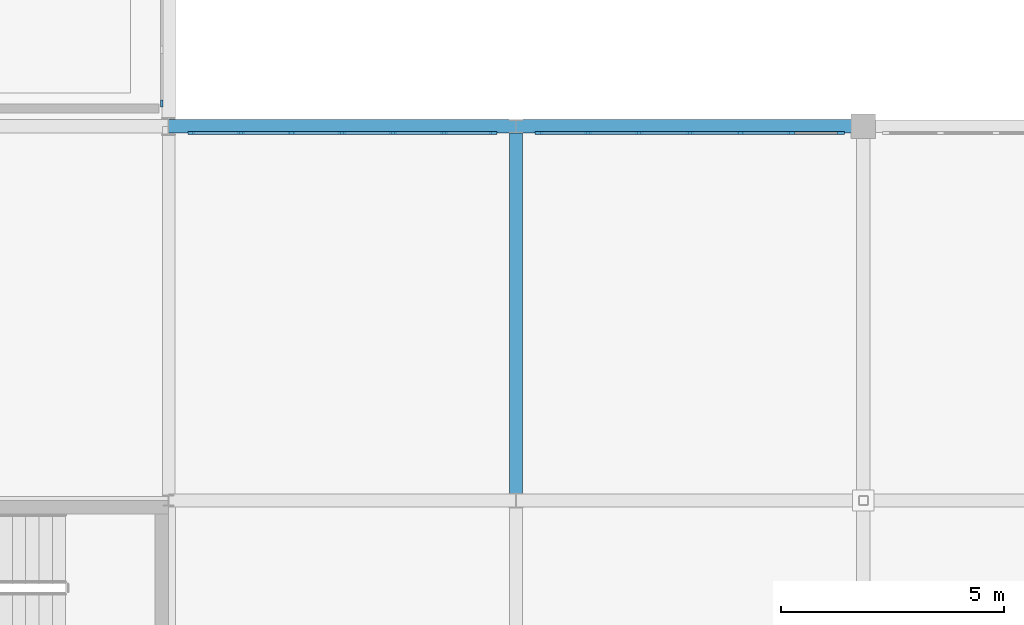
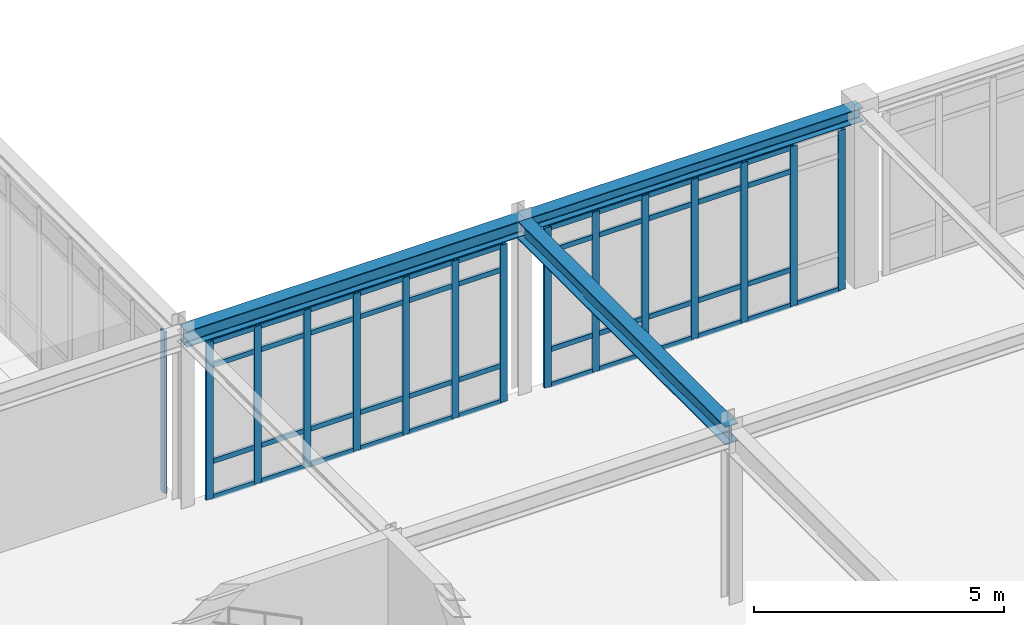
# One storey, part 52 of 101: 60 members, 3 beams, 3 elements without a shape of their own.
"""IFC4 building model written with IfcOpenShell, lengths in metres."""

from ifc_helpers import new_model, si_unit, derived_unit, direction, frame, origin, origin_2d, place, context, subcontext, project, spatial, rectangle, i_section, extrude, material, layer, layer_set, material_profile, profile_set, type_object, element, aggregate, save


model = new_model("IFC4")

# Units and contexts
model_context = context("Model", 3, precision=1e-05, world=origin(), true_north=direction((0.0, 1.0)))
body_context = subcontext(model_context, "Body", "Model", "MODEL_VIEW")
ifc_project = project(units=[si_unit("LENGTHUNIT", "METRE"), si_unit("AREAUNIT", "SQUARE_METRE"), si_unit("VOLUMEUNIT", "CUBIC_METRE"), si_unit("PLANEANGLEUNIT", "RADIAN"), si_unit("MASSUNIT", "GRAM", prefix="KILO"), derived_unit("THERMALTRANSMITTANCEUNIT", [(si_unit("POWERUNIT", "WATT"), 1), (si_unit("AREAUNIT", "SQUARE_METRE"), -1), (si_unit("THERMODYNAMICTEMPERATUREUNIT", "KELVIN"), -1)])], contexts=[model_context])

# Site, building, storey
site_placement = place(None, origin())
site = spatial("IfcSite", under=ifc_project, at=site_placement, CompositionType="ELEMENT")
building_placement = place(site_placement, origin())
building = spatial("IfcBuilding", under=site, at=building_placement, Name="Yasenodar Specialist Clinic", CompositionType="ELEMENT")
storey_placement = place(building_placement, origin())
storey = spatial("IfcBuildingStorey", under=building, at=storey_placement, Name="L00", CompositionType="ELEMENT", Elevation=0.0)

# Beams
ifc_material_1 = material(Name="Steel S355", Category="steel")
ifc_material_profile_1 = material_profile(ifc_material_1, i_section(OverallWidth=0.300048828125, OverallDepth=0.330078125, WebThickness=0.009521484375, FlangeThickness=0.0166015625, FilletRadius=0.027099609375, at=origin_2d()), Name="HEA 340")
ifc_profile_set_1 = profile_set([ifc_material_profile_1], Name="Steel S355")
beam_type_1 = type_object("IfcBeamType", Name="BM-HEA340", PredefinedType="BEAM", material=ifc_profile_set_1)
beam_1_placement = place(storey_placement, frame((146.39990234375, 16.800048828125, 4.0849609375), z_axis=(1.0, 0.0, 0.0), x_axis=(0.0, 1.0, 0.0)))
element("IfcBeam", 1, at=beam_1_placement, inside=storey, type_object=beam_type_1, Name="L00 Primary E-W Girder", PredefinedType="BEAM", context=body_context, shape_type="SweptSolid", body=[
    extrude(i_section(OverallWidth=0.300048828125, OverallDepth=0.330078125, WebThickness=0.009521484375, FlangeThickness=0.0166015625, FilletRadius=0.027099609375, at=origin_2d()), origin(), (0.0, 0.0, 1.0), 7.800048828125),
])
ifc_material_profile_2 = material_profile(ifc_material_1, i_section(OverallWidth=0.300048828125, OverallDepth=0.389892578125, WebThickness=0.010986328125, FlangeThickness=0.01904296875, FilletRadius=0.027099609375, at=origin_2d()), Name="HEA 400")
ifc_profile_set_2 = profile_set([ifc_material_profile_2], Name="Steel S355")
beam_type_2 = type_object("IfcBeamType", Name="BM-HEA400", PredefinedType="BEAM", material=ifc_profile_set_2)
beam_2_placement = place(storey_placement, frame((138.60009765625, 16.800048828125, 4.054931640625), z_axis=(1.0, 0.0, 0.0), x_axis=(0.0, 1.0, 0.0)))
element("IfcBeam", 2, at=beam_2_placement, inside=storey, type_object=beam_type_2, Name="L00 Primary E-W Girder", PredefinedType="BEAM", context=body_context, shape_type="SweptSolid", body=[
    extrude(i_section(OverallWidth=0.300048828125, OverallDepth=0.389892578125, WebThickness=0.010986328125, FlangeThickness=0.01904296875, FilletRadius=0.027099609375, at=origin_2d()), origin(), (0.0, 0.0, 1.0), 7.7998046875),
])
ifc_material_profile_3 = material_profile(ifc_material_1, i_section(OverallWidth=0.300048828125, OverallDepth=0.449951171875, WebThickness=0.013916015625, FlangeThickness=0.02587890625, FilletRadius=0.027099609375, at=origin_2d()), Name="HEB 450")
ifc_profile_set_3 = profile_set([ifc_material_profile_3], Name="Steel S355")
beam_type_3 = type_object("IfcBeamType", Name="BM-HEB450", PredefinedType="BEAM", material=ifc_profile_set_3)
beam_3_placement = place(storey_placement, frame((146.39990234375, 8.39990234375, 4.02490234375), z_axis=(0.0, 1.0, 0.0), x_axis=(-1.0, 0.0, 0.0)))
element("IfcBeam", 3, at=beam_3_placement, inside=storey, type_object=beam_type_3, Name="L00 Primary N-S Girder", PredefinedType="BEAM", context=body_context, shape_type="SweptSolid", body=[
    extrude(i_section(OverallWidth=0.300048828125, OverallDepth=0.449951171875, WebThickness=0.013916015625, FlangeThickness=0.02587890625, FilletRadius=0.027099609375, at=origin_2d()), origin(), (0.0, 0.0, 1.0), 8.400146484375),
])

# Curtain wall, members
ifc_material_2 = material(Name="Bronze Anodized Aluminium and Triple Low-E Glass", Category="aluminium")
ifc_layer = layer(ifc_material_2, 0.178955078125)
ifc_layer_set = layer_set([ifc_layer], Name="Bronze Anodized Aluminium and Triple Low-E Glass")
curtain_wall_type = type_object("IfcCurtainWallType", Name="CW-SYS-02", PredefinedType="USERDEFINED", material=ifc_layer_set)
curtain_wall_1_placement = place(storey_placement, origin())
curtain_wall_1 = element("IfcCurtainWall", 4, at=curtain_wall_1_placement, inside=storey, type_object=curtain_wall_type, Name="L00 Unitised Curtain Wall 087", ObjectType="UNITISED CURTAIN WALL", PredefinedType="USERDEFINED")
ifc_material_3 = material(Name="Bronze Anodized Aluminium", Category="aluminium")
ifc_material_profile_4 = material_profile(ifc_material_3, rectangle(XDim=0.06005859375, YDim=0.159912109375, at=origin_2d()), Name="CW-MULL 60x160")
ifc_profile_set_4 = profile_set([ifc_material_profile_4], Name="Bronze Anodized Aluminium")
member_type_1 = type_object("IfcMemberType", Name="CW-MULL-160", PredefinedType="MULLION", material=ifc_profile_set_4)
member_1_placement = place(storey_placement, frame((139.110107421875, 16.64990234375, 0.0), z_axis=(0.0, 0.0, 1.0), x_axis=(0.0, 1.0, 0.0)))
member_1 = element("IfcMember", 5, at=member_1_placement, type_object=member_type_1, Name="CW-02 mullion 1", PredefinedType="MULLION", context=body_context, shape_type="SweptSolid", body=[
    extrude(rectangle(XDim=0.06005859375, YDim=0.159912109375, at=origin_2d()), origin(), (0.0, 0.0, 1.0), 3.837890625),
])
member_2_placement = place(storey_placement, frame((140.219970703125, 16.64990234375, 0.0), z_axis=(0.0, 0.0, 1.0), x_axis=(0.0, 1.0, 0.0)))
member_2 = element("IfcMember", 6, at=member_2_placement, type_object=member_type_1, Name="CW-02 mullion 2", PredefinedType="MULLION", context=body_context, shape_type="SweptSolid", body=[
    extrude(rectangle(XDim=0.06005859375, YDim=0.159912109375, at=origin_2d()), origin(), (0.0, 0.0, 1.0), 3.837890625),
])
member_3_placement = place(storey_placement, frame((141.360107421875, 16.64990234375, 0.0), z_axis=(0.0, 0.0, 1.0), x_axis=(0.0, 1.0, 0.0)))
member_3 = element("IfcMember", 7, at=member_3_placement, type_object=member_type_1, Name="CW-02 mullion 3", PredefinedType="MULLION", context=body_context, shape_type="SweptSolid", body=[
    extrude(rectangle(XDim=0.06005859375, YDim=0.159912109375, at=origin_2d()), origin(), (0.0, 0.0, 1.0), 3.837890625),
])
member_4_placement = place(storey_placement, frame((142.5, 16.64990234375, 0.0), z_axis=(0.0, 0.0, 1.0), x_axis=(0.0, 1.0, 0.0)))
member_4 = element("IfcMember", 8, at=member_4_placement, type_object=member_type_1, Name="CW-02 mullion 4", PredefinedType="MULLION", context=body_context, shape_type="SweptSolid", body=[
    extrude(rectangle(XDim=0.06005859375, YDim=0.159912109375, at=origin_2d()), origin(), (0.0, 0.0, 1.0), 3.837890625),
])
member_5_placement = place(storey_placement, frame((143.639892578125, 16.64990234375, 0.0), z_axis=(0.0, 0.0, 1.0), x_axis=(0.0, 1.0, 0.0)))
member_5 = element("IfcMember", 9, at=member_5_placement, type_object=member_type_1, Name="CW-02 mullion 5", PredefinedType="MULLION", context=body_context, shape_type="SweptSolid", body=[
    extrude(rectangle(XDim=0.06005859375, YDim=0.159912109375, at=origin_2d()), origin(), (0.0, 0.0, 1.0), 3.837890625),
])
member_6_placement = place(storey_placement, frame((144.780029296875, 16.64990234375, 0.0), z_axis=(0.0, 0.0, 1.0), x_axis=(0.0, 1.0, 0.0)))
member_6 = element("IfcMember", 10, at=member_6_placement, type_object=member_type_1, Name="CW-02 mullion 6", PredefinedType="MULLION", context=body_context, shape_type="SweptSolid", body=[
    extrude(rectangle(XDim=0.06005859375, YDim=0.159912109375, at=origin_2d()), origin(), (0.0, 0.0, 1.0), 3.837890625),
])
member_7_placement = place(storey_placement, frame((145.889892578125, 16.64990234375, 0.0), z_axis=(0.0, 0.0, 1.0), x_axis=(0.0, 1.0, 0.0)))
member_7 = element("IfcMember", 11, at=member_7_placement, type_object=member_type_1, Name="CW-02 mullion 7", PredefinedType="MULLION", context=body_context, shape_type="SweptSolid", body=[
    extrude(rectangle(XDim=0.06005859375, YDim=0.159912109375, at=origin_2d()), origin(), (0.0, 0.0, 1.0), 3.837890625),
])

curtain_wall_2_placement = place(storey_placement, origin())
curtain_wall_2 = element("IfcCurtainWall", 12, at=curtain_wall_2_placement, inside=storey, type_object=curtain_wall_type, Name="L00 Unitised Curtain Wall 088", ObjectType="UNITISED CURTAIN WALL", PredefinedType="USERDEFINED")
member_8_placement = place(storey_placement, frame((146.909912109375, 16.64990234375, 0.0), z_axis=(0.0, 0.0, 1.0), x_axis=(0.0, 1.0, 0.0)))
member_8 = element("IfcMember", 13, at=member_8_placement, type_object=member_type_1, Name="CW-02 mullion 1", PredefinedType="MULLION", context=body_context, shape_type="SweptSolid", body=[
    extrude(rectangle(XDim=0.06005859375, YDim=0.159912109375, at=origin_2d()), origin(), (0.0, 0.0, 1.0), 3.89794921875),
])
member_9_placement = place(storey_placement, frame((148.02001953125, 16.64990234375, 0.0), z_axis=(0.0, 0.0, 1.0), x_axis=(0.0, 1.0, 0.0)))
member_9 = element("IfcMember", 14, at=member_9_placement, type_object=member_type_1, Name="CW-02 mullion 2", PredefinedType="MULLION", context=body_context, shape_type="SweptSolid", body=[
    extrude(rectangle(XDim=0.06005859375, YDim=0.159912109375, at=origin_2d()), origin(), (0.0, 0.0, 1.0), 3.89794921875),
])
member_10_placement = place(storey_placement, frame((149.159912109375, 16.64990234375, 0.0), z_axis=(0.0, 0.0, 1.0), x_axis=(0.0, 1.0, 0.0)))
member_10 = element("IfcMember", 15, at=member_10_placement, type_object=member_type_1, Name="CW-02 mullion 3", PredefinedType="MULLION", context=body_context, shape_type="SweptSolid", body=[
    extrude(rectangle(XDim=0.06005859375, YDim=0.159912109375, at=origin_2d()), origin(), (0.0, 0.0, 1.0), 3.89794921875),
])
member_11_placement = place(storey_placement, frame((150.300048828125, 16.64990234375, 0.0), z_axis=(0.0, 0.0, 1.0), x_axis=(0.0, 1.0, 0.0)))
member_11 = element("IfcMember", 16, at=member_11_placement, type_object=member_type_1, Name="CW-02 mullion 4", PredefinedType="MULLION", context=body_context, shape_type="SweptSolid", body=[
    extrude(rectangle(XDim=0.06005859375, YDim=0.159912109375, at=origin_2d()), origin(), (0.0, 0.0, 1.0), 3.89794921875),
])
member_12_placement = place(storey_placement, frame((151.43994140625, 16.64990234375, 0.0), z_axis=(0.0, 0.0, 1.0), x_axis=(0.0, 1.0, 0.0)))
member_12 = element("IfcMember", 17, at=member_12_placement, type_object=member_type_1, Name="CW-02 mullion 5", PredefinedType="MULLION", context=body_context, shape_type="SweptSolid", body=[
    extrude(rectangle(XDim=0.06005859375, YDim=0.159912109375, at=origin_2d()), origin(), (0.0, 0.0, 1.0), 3.89794921875),
])
member_13_placement = place(storey_placement, frame((152.580078125, 16.64990234375, 0.0), z_axis=(0.0, 0.0, 1.0), x_axis=(0.0, 1.0, 0.0)))
member_13 = element("IfcMember", 18, at=member_13_placement, type_object=member_type_1, Name="CW-02 mullion 6", PredefinedType="MULLION", context=body_context, shape_type="SweptSolid", body=[
    extrude(rectangle(XDim=0.06005859375, YDim=0.159912109375, at=origin_2d()), origin(), (0.0, 0.0, 1.0), 3.89794921875),
])
member_14_placement = place(storey_placement, frame((153.68994140625, 16.64990234375, 0.0), z_axis=(0.0, 0.0, 1.0), x_axis=(0.0, 1.0, 0.0)))
member_14 = element("IfcMember", 19, at=member_14_placement, type_object=member_type_1, Name="CW-02 mullion 7", PredefinedType="MULLION", context=body_context, shape_type="SweptSolid", body=[
    extrude(rectangle(XDim=0.06005859375, YDim=0.159912109375, at=origin_2d()), origin(), (0.0, 0.0, 1.0), 3.89794921875),
])

# Curtain wall, member
curtain_wall_3_placement = place(storey_placement, origin())
curtain_wall_3 = element("IfcCurtainWall", 20, at=curtain_wall_3_placement, inside=storey, type_object=curtain_wall_type, Name="L00 Unitised Curtain Wall 091", ObjectType="UNITISED CURTAIN WALL", PredefinedType="USERDEFINED")
member_15_placement = place(storey_placement, frame((138.449951171875, 17.31005859375, 0.0), z_axis=(0.0, 0.0, 1.0), x_axis=(1.0, 0.0, 0.0)))
member_15 = element("IfcMember", 21, at=member_15_placement, type_object=member_type_1, Name="CW-02 mullion 7", PredefinedType="MULLION", context=body_context, shape_type="SweptSolid", body=[
    extrude(rectangle(XDim=0.06005859375, YDim=0.159912109375, at=origin_2d()), origin(), (0.0, 0.0, 1.0), 3.93798828125),
])
aggregate(curtain_wall_3, [member_15])

# Member
ifc_material_profile_5 = material_profile(ifc_material_3, rectangle(XDim=0.06005859375, YDim=0.1201171875, at=origin_2d()), Name="CW-TRAN 60x120")
ifc_profile_set_5 = profile_set([ifc_material_profile_5], Name="Bronze Anodized Aluminium")
member_type_2 = type_object("IfcMemberType", Name="CW-TRAN-120", PredefinedType="USERDEFINED", material=ifc_profile_set_5)
member_16_placement = place(storey_placement, frame((139.139892578125, 16.64990234375, 0.030029296875), z_axis=(1.0, 0.0, 0.0), x_axis=(0.0, 1.0, 0.0)))
member_16 = element("IfcMember", 22, at=member_16_placement, type_object=member_type_2, Name="CW-02 transom 1.1", ObjectType="TRANSOM", PredefinedType="USERDEFINED", context=body_context, shape_type="SweptSolid", body=[
    extrude(rectangle(XDim=0.06005859375, YDim=0.1201171875, at=origin_2d()), origin(), (0.0, 0.0, 1.0), 1.050048828125),
])

member_17_placement = place(storey_placement, frame((139.139892578125, 16.64990234375, 0.89990234375), z_axis=(1.0, 0.0, 0.0), x_axis=(0.0, 1.0, 0.0)))
member_17 = element("IfcMember", 23, at=member_17_placement, type_object=member_type_2, Name="CW-02 transom 1.2", ObjectType="TRANSOM", PredefinedType="USERDEFINED", context=body_context, shape_type="SweptSolid", body=[
    extrude(rectangle(XDim=0.06005859375, YDim=0.1201171875, at=origin_2d()), origin(), (0.0, 0.0, 1.0), 1.050048828125),
])

member_18_placement = place(storey_placement, frame((139.139892578125, 16.64990234375, 3.238037109375), z_axis=(1.0, 0.0, 0.0), x_axis=(0.0, 1.0, 0.0)))
member_18 = element("IfcMember", 24, at=member_18_placement, type_object=member_type_2, Name="CW-02 transom 1.3", ObjectType="TRANSOM", PredefinedType="USERDEFINED", context=body_context, shape_type="SweptSolid", body=[
    extrude(rectangle(XDim=0.06005859375, YDim=0.1201171875, at=origin_2d()), origin(), (0.0, 0.0, 1.0), 1.050048828125),
])

member_19_placement = place(storey_placement, frame((139.139892578125, 16.64990234375, 3.80810546875), z_axis=(1.0, 0.0, 0.0), x_axis=(0.0, 1.0, 0.0)))
member_19 = element("IfcMember", 25, at=member_19_placement, type_object=member_type_2, Name="CW-02 transom 1.4", ObjectType="TRANSOM", PredefinedType="USERDEFINED", context=body_context, shape_type="SweptSolid", body=[
    extrude(rectangle(XDim=0.06005859375, YDim=0.1201171875, at=origin_2d()), origin(), (0.0, 0.0, 1.0), 1.050048828125),
])

member_20_placement = place(storey_placement, frame((140.25, 16.64990234375, 0.030029296875), z_axis=(1.0, 0.0, 0.0), x_axis=(0.0, 1.0, 0.0)))
member_20 = element("IfcMember", 26, at=member_20_placement, type_object=member_type_2, Name="CW-02 transom 2.1", ObjectType="TRANSOM", PredefinedType="USERDEFINED", context=body_context, shape_type="SweptSolid", body=[
    extrude(rectangle(XDim=0.06005859375, YDim=0.1201171875, at=origin_2d()), origin(), (0.0, 0.0, 1.0), 1.080078125),
])

member_21_placement = place(storey_placement, frame((140.25, 16.64990234375, 0.89990234375), z_axis=(1.0, 0.0, 0.0), x_axis=(0.0, 1.0, 0.0)))
member_21 = element("IfcMember", 27, at=member_21_placement, type_object=member_type_2, Name="CW-02 transom 2.2", ObjectType="TRANSOM", PredefinedType="USERDEFINED", context=body_context, shape_type="SweptSolid", body=[
    extrude(rectangle(XDim=0.06005859375, YDim=0.1201171875, at=origin_2d()), origin(), (0.0, 0.0, 1.0), 1.080078125),
])

member_22_placement = place(storey_placement, frame((140.25, 16.64990234375, 3.238037109375), z_axis=(1.0, 0.0, 0.0), x_axis=(0.0, 1.0, 0.0)))
member_22 = element("IfcMember", 28, at=member_22_placement, type_object=member_type_2, Name="CW-02 transom 2.3", ObjectType="TRANSOM", PredefinedType="USERDEFINED", context=body_context, shape_type="SweptSolid", body=[
    extrude(rectangle(XDim=0.06005859375, YDim=0.1201171875, at=origin_2d()), origin(), (0.0, 0.0, 1.0), 1.080078125),
])

member_23_placement = place(storey_placement, frame((140.25, 16.64990234375, 3.80810546875), z_axis=(1.0, 0.0, 0.0), x_axis=(0.0, 1.0, 0.0)))
member_23 = element("IfcMember", 29, at=member_23_placement, type_object=member_type_2, Name="CW-02 transom 2.4", ObjectType="TRANSOM", PredefinedType="USERDEFINED", context=body_context, shape_type="SweptSolid", body=[
    extrude(rectangle(XDim=0.06005859375, YDim=0.1201171875, at=origin_2d()), origin(), (0.0, 0.0, 1.0), 1.080078125),
])

member_24_placement = place(storey_placement, frame((141.389892578125, 16.64990234375, 0.030029296875), z_axis=(1.0, 0.0, 0.0), x_axis=(0.0, 1.0, 0.0)))
member_24 = element("IfcMember", 30, at=member_24_placement, type_object=member_type_2, Name="CW-02 transom 3.1", ObjectType="TRANSOM", PredefinedType="USERDEFINED", context=body_context, shape_type="SweptSolid", body=[
    extrude(rectangle(XDim=0.06005859375, YDim=0.1201171875, at=origin_2d()), origin(), (0.0, 0.0, 1.0), 1.080078125),
])

member_25_placement = place(storey_placement, frame((141.389892578125, 16.64990234375, 0.89990234375), z_axis=(1.0, 0.0, 0.0), x_axis=(0.0, 1.0, 0.0)))
member_25 = element("IfcMember", 31, at=member_25_placement, type_object=member_type_2, Name="CW-02 transom 3.2", ObjectType="TRANSOM", PredefinedType="USERDEFINED", context=body_context, shape_type="SweptSolid", body=[
    extrude(rectangle(XDim=0.06005859375, YDim=0.1201171875, at=origin_2d()), origin(), (0.0, 0.0, 1.0), 1.080078125),
])

member_26_placement = place(storey_placement, frame((141.389892578125, 16.64990234375, 3.238037109375), z_axis=(1.0, 0.0, 0.0), x_axis=(0.0, 1.0, 0.0)))
member_26 = element("IfcMember", 32, at=member_26_placement, type_object=member_type_2, Name="CW-02 transom 3.3", ObjectType="TRANSOM", PredefinedType="USERDEFINED", context=body_context, shape_type="SweptSolid", body=[
    extrude(rectangle(XDim=0.06005859375, YDim=0.1201171875, at=origin_2d()), origin(), (0.0, 0.0, 1.0), 1.080078125),
])

member_27_placement = place(storey_placement, frame((141.389892578125, 16.64990234375, 3.80810546875), z_axis=(1.0, 0.0, 0.0), x_axis=(0.0, 1.0, 0.0)))
member_27 = element("IfcMember", 33, at=member_27_placement, type_object=member_type_2, Name="CW-02 transom 3.4", ObjectType="TRANSOM", PredefinedType="USERDEFINED", context=body_context, shape_type="SweptSolid", body=[
    extrude(rectangle(XDim=0.06005859375, YDim=0.1201171875, at=origin_2d()), origin(), (0.0, 0.0, 1.0), 1.080078125),
])

member_28_placement = place(storey_placement, frame((142.530029296875, 16.64990234375, 0.030029296875), z_axis=(1.0, 0.0, 0.0), x_axis=(0.0, 1.0, 0.0)))
member_28 = element("IfcMember", 34, at=member_28_placement, type_object=member_type_2, Name="CW-02 transom 4.1", ObjectType="TRANSOM", PredefinedType="USERDEFINED", context=body_context, shape_type="SweptSolid", body=[
    extrude(rectangle(XDim=0.06005859375, YDim=0.1201171875, at=origin_2d()), origin(), (0.0, 0.0, 1.0), 1.080078125),
])

member_29_placement = place(storey_placement, frame((142.530029296875, 16.64990234375, 0.89990234375), z_axis=(1.0, 0.0, 0.0), x_axis=(0.0, 1.0, 0.0)))
member_29 = element("IfcMember", 35, at=member_29_placement, type_object=member_type_2, Name="CW-02 transom 4.2", ObjectType="TRANSOM", PredefinedType="USERDEFINED", context=body_context, shape_type="SweptSolid", body=[
    extrude(rectangle(XDim=0.06005859375, YDim=0.1201171875, at=origin_2d()), origin(), (0.0, 0.0, 1.0), 1.080078125),
])

member_30_placement = place(storey_placement, frame((142.530029296875, 16.64990234375, 3.238037109375), z_axis=(1.0, 0.0, 0.0), x_axis=(0.0, 1.0, 0.0)))
member_30 = element("IfcMember", 36, at=member_30_placement, type_object=member_type_2, Name="CW-02 transom 4.3", ObjectType="TRANSOM", PredefinedType="USERDEFINED", context=body_context, shape_type="SweptSolid", body=[
    extrude(rectangle(XDim=0.06005859375, YDim=0.1201171875, at=origin_2d()), origin(), (0.0, 0.0, 1.0), 1.080078125),
])

member_31_placement = place(storey_placement, frame((142.530029296875, 16.64990234375, 3.80810546875), z_axis=(1.0, 0.0, 0.0), x_axis=(0.0, 1.0, 0.0)))
member_31 = element("IfcMember", 37, at=member_31_placement, type_object=member_type_2, Name="CW-02 transom 4.4", ObjectType="TRANSOM", PredefinedType="USERDEFINED", context=body_context, shape_type="SweptSolid", body=[
    extrude(rectangle(XDim=0.06005859375, YDim=0.1201171875, at=origin_2d()), origin(), (0.0, 0.0, 1.0), 1.080078125),
])

member_32_placement = place(storey_placement, frame((143.669921875, 16.64990234375, 0.030029296875), z_axis=(1.0, 0.0, 0.0), x_axis=(0.0, 1.0, 0.0)))
member_32 = element("IfcMember", 38, at=member_32_placement, type_object=member_type_2, Name="CW-02 transom 5.1", ObjectType="TRANSOM", PredefinedType="USERDEFINED", context=body_context, shape_type="SweptSolid", body=[
    extrude(rectangle(XDim=0.06005859375, YDim=0.1201171875, at=origin_2d()), origin(), (0.0, 0.0, 1.0), 1.080078125),
])

member_33_placement = place(storey_placement, frame((143.669921875, 16.64990234375, 0.89990234375), z_axis=(1.0, 0.0, 0.0), x_axis=(0.0, 1.0, 0.0)))
member_33 = element("IfcMember", 39, at=member_33_placement, type_object=member_type_2, Name="CW-02 transom 5.2", ObjectType="TRANSOM", PredefinedType="USERDEFINED", context=body_context, shape_type="SweptSolid", body=[
    extrude(rectangle(XDim=0.06005859375, YDim=0.1201171875, at=origin_2d()), origin(), (0.0, 0.0, 1.0), 1.080078125),
])

member_34_placement = place(storey_placement, frame((143.669921875, 16.64990234375, 3.238037109375), z_axis=(1.0, 0.0, 0.0), x_axis=(0.0, 1.0, 0.0)))
member_34 = element("IfcMember", 40, at=member_34_placement, type_object=member_type_2, Name="CW-02 transom 5.3", ObjectType="TRANSOM", PredefinedType="USERDEFINED", context=body_context, shape_type="SweptSolid", body=[
    extrude(rectangle(XDim=0.06005859375, YDim=0.1201171875, at=origin_2d()), origin(), (0.0, 0.0, 1.0), 1.080078125),
])

member_35_placement = place(storey_placement, frame((143.669921875, 16.64990234375, 3.80810546875), z_axis=(1.0, 0.0, 0.0), x_axis=(0.0, 1.0, 0.0)))
member_35 = element("IfcMember", 41, at=member_35_placement, type_object=member_type_2, Name="CW-02 transom 5.4", ObjectType="TRANSOM", PredefinedType="USERDEFINED", context=body_context, shape_type="SweptSolid", body=[
    extrude(rectangle(XDim=0.06005859375, YDim=0.1201171875, at=origin_2d()), origin(), (0.0, 0.0, 1.0), 1.080078125),
])

member_36_placement = place(storey_placement, frame((144.81005859375, 16.64990234375, 0.030029296875), z_axis=(1.0, 0.0, 0.0), x_axis=(0.0, 1.0, 0.0)))
member_36 = element("IfcMember", 42, at=member_36_placement, type_object=member_type_2, Name="CW-02 transom 6.1", ObjectType="TRANSOM", PredefinedType="USERDEFINED", context=body_context, shape_type="SweptSolid", body=[
    extrude(rectangle(XDim=0.06005859375, YDim=0.1201171875, at=origin_2d()), origin(), (0.0, 0.0, 1.0), 1.050048828125),
])

member_37_placement = place(storey_placement, frame((144.81005859375, 16.64990234375, 0.89990234375), z_axis=(1.0, 0.0, 0.0), x_axis=(0.0, 1.0, 0.0)))
member_37 = element("IfcMember", 43, at=member_37_placement, type_object=member_type_2, Name="CW-02 transom 6.2", ObjectType="TRANSOM", PredefinedType="USERDEFINED", context=body_context, shape_type="SweptSolid", body=[
    extrude(rectangle(XDim=0.06005859375, YDim=0.1201171875, at=origin_2d()), origin(), (0.0, 0.0, 1.0), 1.050048828125),
])

member_38_placement = place(storey_placement, frame((144.81005859375, 16.64990234375, 3.238037109375), z_axis=(1.0, 0.0, 0.0), x_axis=(0.0, 1.0, 0.0)))
member_38 = element("IfcMember", 44, at=member_38_placement, type_object=member_type_2, Name="CW-02 transom 6.3", ObjectType="TRANSOM", PredefinedType="USERDEFINED", context=body_context, shape_type="SweptSolid", body=[
    extrude(rectangle(XDim=0.06005859375, YDim=0.1201171875, at=origin_2d()), origin(), (0.0, 0.0, 1.0), 1.050048828125),
])

member_39_placement = place(storey_placement, frame((144.81005859375, 16.64990234375, 3.80810546875), z_axis=(1.0, 0.0, 0.0), x_axis=(0.0, 1.0, 0.0)))
member_39 = element("IfcMember", 45, at=member_39_placement, type_object=member_type_2, Name="CW-02 transom 6.4", ObjectType="TRANSOM", PredefinedType="USERDEFINED", context=body_context, shape_type="SweptSolid", body=[
    extrude(rectangle(XDim=0.06005859375, YDim=0.1201171875, at=origin_2d()), origin(), (0.0, 0.0, 1.0), 1.050048828125),
])

aggregate(curtain_wall_1, [member_1, member_2, member_3, member_4, member_5, member_6, member_7, member_16, member_17, member_18, member_19, member_20, member_21, member_22, member_23, member_24, member_25, member_26, member_27, member_28, member_29, member_30, member_31, member_32, member_33, member_34, member_35, member_36, member_37, member_38, member_39])

member_40_placement = place(storey_placement, frame((146.93994140625, 16.64990234375, 0.030029296875), z_axis=(1.0, 0.0, 0.0), x_axis=(0.0, 1.0, 0.0)))
member_40 = element("IfcMember", 46, at=member_40_placement, type_object=member_type_2, Name="CW-02 transom 1.1", ObjectType="TRANSOM", PredefinedType="USERDEFINED", context=body_context, shape_type="SweptSolid", body=[
    extrude(rectangle(XDim=0.06005859375, YDim=0.1201171875, at=origin_2d()), origin(), (0.0, 0.0, 1.0), 1.050048828125),
])

member_41_placement = place(storey_placement, frame((146.93994140625, 16.64990234375, 0.89990234375), z_axis=(1.0, 0.0, 0.0), x_axis=(0.0, 1.0, 0.0)))
member_41 = element("IfcMember", 47, at=member_41_placement, type_object=member_type_2, Name="CW-02 transom 1.2", ObjectType="TRANSOM", PredefinedType="USERDEFINED", context=body_context, shape_type="SweptSolid", body=[
    extrude(rectangle(XDim=0.06005859375, YDim=0.1201171875, at=origin_2d()), origin(), (0.0, 0.0, 1.0), 1.050048828125),
])

member_42_placement = place(storey_placement, frame((146.93994140625, 16.64990234375, 3.298095703125), z_axis=(1.0, 0.0, 0.0), x_axis=(0.0, 1.0, 0.0)))
member_42 = element("IfcMember", 48, at=member_42_placement, type_object=member_type_2, Name="CW-02 transom 1.3", ObjectType="TRANSOM", PredefinedType="USERDEFINED", context=body_context, shape_type="SweptSolid", body=[
    extrude(rectangle(XDim=0.06005859375, YDim=0.1201171875, at=origin_2d()), origin(), (0.0, 0.0, 1.0), 1.050048828125),
])

member_43_placement = place(storey_placement, frame((146.93994140625, 16.64990234375, 3.867919921875), z_axis=(1.0, 0.0, 0.0), x_axis=(0.0, 1.0, 0.0)))
member_43 = element("IfcMember", 49, at=member_43_placement, type_object=member_type_2, Name="CW-02 transom 1.4", ObjectType="TRANSOM", PredefinedType="USERDEFINED", context=body_context, shape_type="SweptSolid", body=[
    extrude(rectangle(XDim=0.06005859375, YDim=0.1201171875, at=origin_2d()), origin(), (0.0, 0.0, 1.0), 1.050048828125),
])

member_44_placement = place(storey_placement, frame((148.050048828125, 16.64990234375, 0.030029296875), z_axis=(1.0, 0.0, 0.0), x_axis=(0.0, 1.0, 0.0)))
member_44 = element("IfcMember", 50, at=member_44_placement, type_object=member_type_2, Name="CW-02 transom 2.1", ObjectType="TRANSOM", PredefinedType="USERDEFINED", context=body_context, shape_type="SweptSolid", body=[
    extrude(rectangle(XDim=0.06005859375, YDim=0.1201171875, at=origin_2d()), origin(), (0.0, 0.0, 1.0), 1.079833984375),
])

member_45_placement = place(storey_placement, frame((148.050048828125, 16.64990234375, 0.89990234375), z_axis=(1.0, 0.0, 0.0), x_axis=(0.0, 1.0, 0.0)))
member_45 = element("IfcMember", 51, at=member_45_placement, type_object=member_type_2, Name="CW-02 transom 2.2", ObjectType="TRANSOM", PredefinedType="USERDEFINED", context=body_context, shape_type="SweptSolid", body=[
    extrude(rectangle(XDim=0.06005859375, YDim=0.1201171875, at=origin_2d()), origin(), (0.0, 0.0, 1.0), 1.079833984375),
])

member_46_placement = place(storey_placement, frame((148.050048828125, 16.64990234375, 3.298095703125), z_axis=(1.0, 0.0, 0.0), x_axis=(0.0, 1.0, 0.0)))
member_46 = element("IfcMember", 52, at=member_46_placement, type_object=member_type_2, Name="CW-02 transom 2.3", ObjectType="TRANSOM", PredefinedType="USERDEFINED", context=body_context, shape_type="SweptSolid", body=[
    extrude(rectangle(XDim=0.06005859375, YDim=0.1201171875, at=origin_2d()), origin(), (0.0, 0.0, 1.0), 1.079833984375),
])

member_47_placement = place(storey_placement, frame((148.050048828125, 16.64990234375, 3.867919921875), z_axis=(1.0, 0.0, 0.0), x_axis=(0.0, 1.0, 0.0)))
member_47 = element("IfcMember", 53, at=member_47_placement, type_object=member_type_2, Name="CW-02 transom 2.4", ObjectType="TRANSOM", PredefinedType="USERDEFINED", context=body_context, shape_type="SweptSolid", body=[
    extrude(rectangle(XDim=0.06005859375, YDim=0.1201171875, at=origin_2d()), origin(), (0.0, 0.0, 1.0), 1.079833984375),
])

member_48_placement = place(storey_placement, frame((149.18994140625, 16.64990234375, 0.030029296875), z_axis=(1.0, 0.0, 0.0), x_axis=(0.0, 1.0, 0.0)))
member_48 = element("IfcMember", 54, at=member_48_placement, type_object=member_type_2, Name="CW-02 transom 3.1", ObjectType="TRANSOM", PredefinedType="USERDEFINED", context=body_context, shape_type="SweptSolid", body=[
    extrude(rectangle(XDim=0.06005859375, YDim=0.1201171875, at=origin_2d()), origin(), (0.0, 0.0, 1.0), 1.080078125),
])

member_49_placement = place(storey_placement, frame((149.18994140625, 16.64990234375, 0.89990234375), z_axis=(1.0, 0.0, 0.0), x_axis=(0.0, 1.0, 0.0)))
member_49 = element("IfcMember", 55, at=member_49_placement, type_object=member_type_2, Name="CW-02 transom 3.2", ObjectType="TRANSOM", PredefinedType="USERDEFINED", context=body_context, shape_type="SweptSolid", body=[
    extrude(rectangle(XDim=0.06005859375, YDim=0.1201171875, at=origin_2d()), origin(), (0.0, 0.0, 1.0), 1.080078125),
])

member_50_placement = place(storey_placement, frame((149.18994140625, 16.64990234375, 3.298095703125), z_axis=(1.0, 0.0, 0.0), x_axis=(0.0, 1.0, 0.0)))
member_50 = element("IfcMember", 56, at=member_50_placement, type_object=member_type_2, Name="CW-02 transom 3.3", ObjectType="TRANSOM", PredefinedType="USERDEFINED", context=body_context, shape_type="SweptSolid", body=[
    extrude(rectangle(XDim=0.06005859375, YDim=0.1201171875, at=origin_2d()), origin(), (0.0, 0.0, 1.0), 1.080078125),
])

member_51_placement = place(storey_placement, frame((149.18994140625, 16.64990234375, 3.867919921875), z_axis=(1.0, 0.0, 0.0), x_axis=(0.0, 1.0, 0.0)))
member_51 = element("IfcMember", 57, at=member_51_placement, type_object=member_type_2, Name="CW-02 transom 3.4", ObjectType="TRANSOM", PredefinedType="USERDEFINED", context=body_context, shape_type="SweptSolid", body=[
    extrude(rectangle(XDim=0.06005859375, YDim=0.1201171875, at=origin_2d()), origin(), (0.0, 0.0, 1.0), 1.080078125),
])

member_52_placement = place(storey_placement, frame((150.330078125, 16.64990234375, 0.030029296875), z_axis=(1.0, 0.0, 0.0), x_axis=(0.0, 1.0, 0.0)))
member_52 = element("IfcMember", 58, at=member_52_placement, type_object=member_type_2, Name="CW-02 transom 4.1", ObjectType="TRANSOM", PredefinedType="USERDEFINED", context=body_context, shape_type="SweptSolid", body=[
    extrude(rectangle(XDim=0.06005859375, YDim=0.1201171875, at=origin_2d()), origin(), (0.0, 0.0, 1.0), 1.079833984375),
])

member_53_placement = place(storey_placement, frame((150.330078125, 16.64990234375, 0.89990234375), z_axis=(1.0, 0.0, 0.0), x_axis=(0.0, 1.0, 0.0)))
member_53 = element("IfcMember", 59, at=member_53_placement, type_object=member_type_2, Name="CW-02 transom 4.2", ObjectType="TRANSOM", PredefinedType="USERDEFINED", context=body_context, shape_type="SweptSolid", body=[
    extrude(rectangle(XDim=0.06005859375, YDim=0.1201171875, at=origin_2d()), origin(), (0.0, 0.0, 1.0), 1.079833984375),
])

member_54_placement = place(storey_placement, frame((150.330078125, 16.64990234375, 3.298095703125), z_axis=(1.0, 0.0, 0.0), x_axis=(0.0, 1.0, 0.0)))
member_54 = element("IfcMember", 60, at=member_54_placement, type_object=member_type_2, Name="CW-02 transom 4.3", ObjectType="TRANSOM", PredefinedType="USERDEFINED", context=body_context, shape_type="SweptSolid", body=[
    extrude(rectangle(XDim=0.06005859375, YDim=0.1201171875, at=origin_2d()), origin(), (0.0, 0.0, 1.0), 1.079833984375),
])

member_55_placement = place(storey_placement, frame((150.330078125, 16.64990234375, 3.867919921875), z_axis=(1.0, 0.0, 0.0), x_axis=(0.0, 1.0, 0.0)))
member_55 = element("IfcMember", 61, at=member_55_placement, type_object=member_type_2, Name="CW-02 transom 4.4", ObjectType="TRANSOM", PredefinedType="USERDEFINED", context=body_context, shape_type="SweptSolid", body=[
    extrude(rectangle(XDim=0.06005859375, YDim=0.1201171875, at=origin_2d()), origin(), (0.0, 0.0, 1.0), 1.079833984375),
])

member_56_placement = place(storey_placement, frame((151.469970703125, 16.64990234375, 0.030029296875), z_axis=(1.0, 0.0, 0.0), x_axis=(0.0, 1.0, 0.0)))
member_56 = element("IfcMember", 62, at=member_56_placement, type_object=member_type_2, Name="CW-02 transom 5.1", ObjectType="TRANSOM", PredefinedType="USERDEFINED", context=body_context, shape_type="SweptSolid", body=[
    extrude(rectangle(XDim=0.06005859375, YDim=0.1201171875, at=origin_2d()), origin(), (0.0, 0.0, 1.0), 1.080078125),
])

member_57_placement = place(storey_placement, frame((151.469970703125, 16.64990234375, 0.89990234375), z_axis=(1.0, 0.0, 0.0), x_axis=(0.0, 1.0, 0.0)))
member_57 = element("IfcMember", 63, at=member_57_placement, type_object=member_type_2, Name="CW-02 transom 5.2", ObjectType="TRANSOM", PredefinedType="USERDEFINED", context=body_context, shape_type="SweptSolid", body=[
    extrude(rectangle(XDim=0.06005859375, YDim=0.1201171875, at=origin_2d()), origin(), (0.0, 0.0, 1.0), 1.080078125),
])

member_58_placement = place(storey_placement, frame((151.469970703125, 16.64990234375, 3.298095703125), z_axis=(1.0, 0.0, 0.0), x_axis=(0.0, 1.0, 0.0)))
member_58 = element("IfcMember", 64, at=member_58_placement, type_object=member_type_2, Name="CW-02 transom 5.3", ObjectType="TRANSOM", PredefinedType="USERDEFINED", context=body_context, shape_type="SweptSolid", body=[
    extrude(rectangle(XDim=0.06005859375, YDim=0.1201171875, at=origin_2d()), origin(), (0.0, 0.0, 1.0), 1.080078125),
])

member_59_placement = place(storey_placement, frame((151.469970703125, 16.64990234375, 3.867919921875), z_axis=(1.0, 0.0, 0.0), x_axis=(0.0, 1.0, 0.0)))
member_59 = element("IfcMember", 65, at=member_59_placement, type_object=member_type_2, Name="CW-02 transom 5.4", ObjectType="TRANSOM", PredefinedType="USERDEFINED", context=body_context, shape_type="SweptSolid", body=[
    extrude(rectangle(XDim=0.06005859375, YDim=0.1201171875, at=origin_2d()), origin(), (0.0, 0.0, 1.0), 1.080078125),
])

member_60_placement = place(storey_placement, frame((152.610107421875, 16.64990234375, 0.030029296875), z_axis=(1.0, 0.0, 0.0), x_axis=(0.0, 1.0, 0.0)))
member_60 = element("IfcMember", 66, at=member_60_placement, type_object=member_type_2, Name="CW-02 transom 6.1", ObjectType="TRANSOM", PredefinedType="USERDEFINED", context=body_context, shape_type="SweptSolid", body=[
    extrude(rectangle(XDim=0.06005859375, YDim=0.1201171875, at=origin_2d()), origin(), (0.0, 0.0, 1.0), 1.0498046875),
])

aggregate(curtain_wall_2, [member_8, member_9, member_10, member_11, member_12, member_13, member_14, member_40, member_41, member_42, member_43, member_44, member_45, member_46, member_47, member_48, member_49, member_50, member_51, member_52, member_53, member_54, member_55, member_56, member_57, member_58, member_59, member_60])

save(model, "model.ifc")
